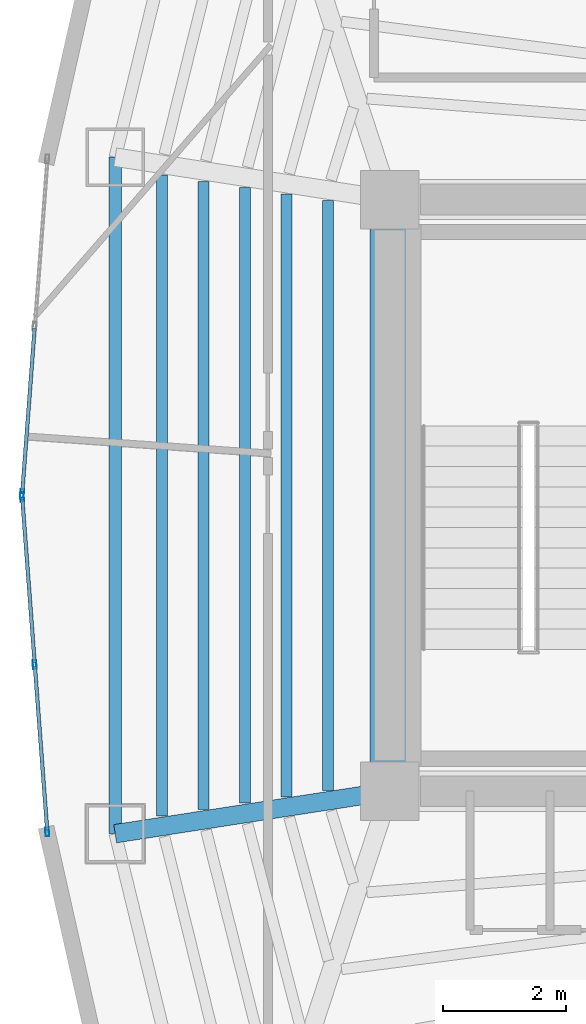
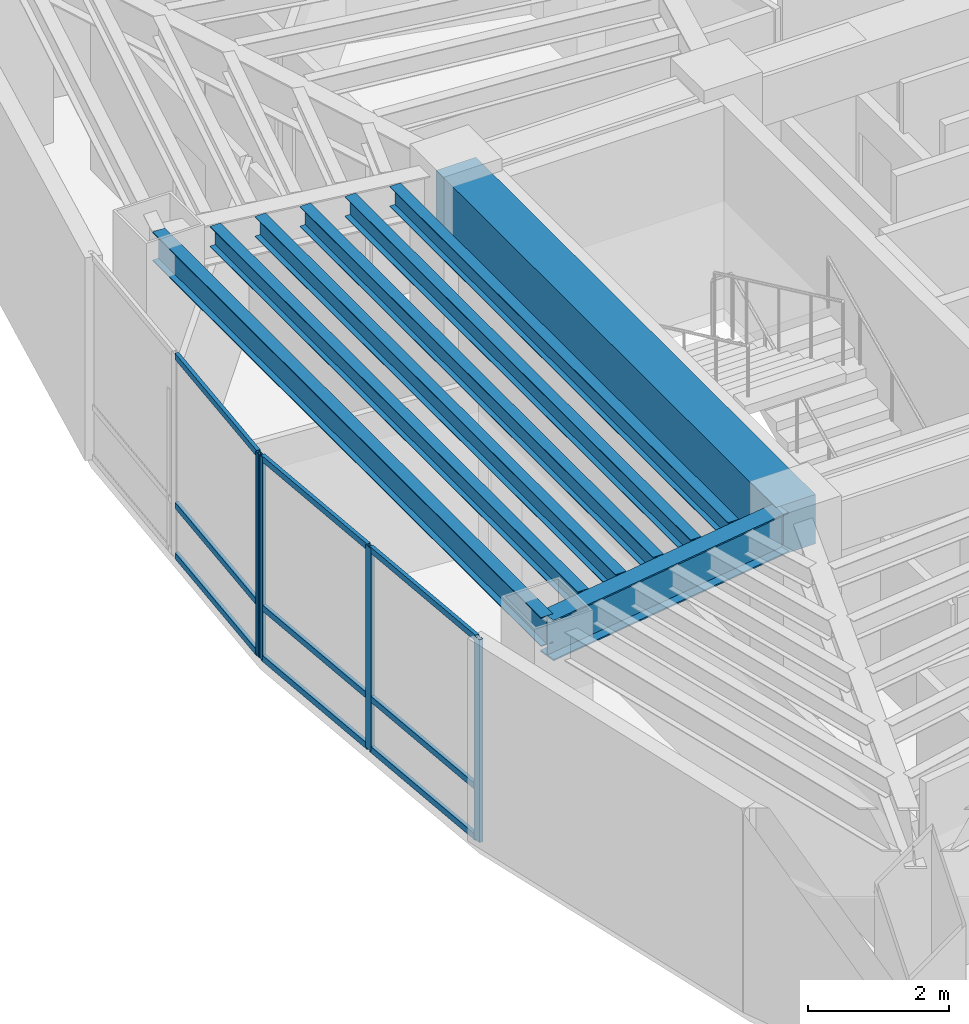
# One storey, part 3 of 15: 13 members, 8 beams, 2 elements without a shape of their own.
"""IFC4 building model written with IfcOpenShell, lengths in metres."""

from ifc_helpers import new_model, si_unit, direction, frame, origin, origin_2d, place, context, subcontext, project, spatial, rectangle, hollow_rectangle, i_section, extrude, material, layer, layer_set, material_profile, profile_set, type_object, element, aggregate, save


model = new_model("IFC4")

# Units and contexts
model_context = context("Model", 3, precision=1e-05, world=origin(), true_north=direction((0.0, 1.0)))
body_context = subcontext(model_context, "Body", "Model", "MODEL_VIEW")
ifc_project = project(units=[si_unit("LENGTHUNIT", "METRE"), si_unit("AREAUNIT", "SQUARE_METRE"), si_unit("VOLUMEUNIT", "CUBIC_METRE"), si_unit("PLANEANGLEUNIT", "RADIAN"), si_unit("MASSUNIT", "GRAM", prefix="KILO")], contexts=[model_context])

# Site, building, storey
site_placement = place(None, origin())
site = spatial("IfcSite", under=ifc_project, at=site_placement, CompositionType="ELEMENT")
building_placement = place(site_placement, origin())
building = spatial("IfcBuilding", under=site, at=building_placement, Name="Menara Vayukalpa", CompositionType="ELEMENT")
storey_placement = place(building_placement, frame((0.0, 0.0, 226.97998046875)))
storey = spatial("IfcBuildingStorey", under=building, at=storey_placement, Name="L57", CompositionType="ELEMENT", Elevation=226.97998046875)

# Beams
ifc_material_1 = material(Name="Concrete C60/75", Category="concrete")
ifc_material_profile_1 = material_profile(ifc_material_1, rectangle(XDim=0.64990234375, YDim=0.85009765625, at=origin_2d()), Name="RC 650x850")
ifc_profile_set_1 = profile_set([ifc_material_profile_1], Name="Concrete C60/75")
beam_type_1 = type_object("IfcBeamType", Name="BM-CB1", PredefinedType="BEAM", material=ifc_profile_set_1)
beam_1_placement = place(storey_placement, frame((17.800048828125, 17.199951171875, 3.074951171875), z_axis=(0.0, 1.0, 0.0), x_axis=(-1.0, 0.0, 0.0)))
element("IfcBeam", 1, at=beam_1_placement, inside=storey, type_object=beam_type_1, Name="L57 Core Tie Beam CBR7", PredefinedType="BEAM", context=body_context, shape_type="SweptSolid", body=[
    extrude(rectangle(XDim=0.64990234375, YDim=0.85009765625, at=origin_2d()), origin(), (0.0, 0.0, 1.0), 9.60009765625),
])
ifc_material_2 = material(Name="Steel S355", Category="steel")
ifc_material_profile_2 = material_profile(ifc_material_2, i_section(OverallWidth=0.300048828125, OverallDepth=0.699951171875, WebThickness=0.012939453125, FlangeThickness=0.02392578125, at=origin_2d()), Name="WF 700x300x13x24")
ifc_profile_set_2 = profile_set([ifc_material_profile_2], Name="Steel S355")
beam_type_2 = type_object("IfcBeamType", Name="BM-PG5", PredefinedType="BEAM", material=ifc_profile_set_2)
beam_2_placement = place(storey_placement, frame((17.552978515625, 17.161865234375, 3.14990234375), z_axis=(-0.988244781219, -0.152879862617, 0.0), x_axis=(0.152879862617, -0.988244781219, 0.0)))
element("IfcBeam", 2, at=beam_2_placement, inside=storey, type_object=beam_type_2, Name="L57 Primary Radial Girder RG06", PredefinedType="BEAM", context=body_context, shape_type="SweptSolid", body=[
    extrude(i_section(OverallWidth=0.300048828125, OverallDepth=0.699951171875, WebThickness=0.012939453125, FlangeThickness=0.02392578125, at=origin_2d()), origin(), (0.0, 0.0, 1.0), 4.259033203125),
])
ifc_material_3 = material(Name="Steel S355", Category="steel")
ifc_material_profile_3 = material_profile(ifc_material_3, i_section(OverallWidth=0.175048828125, OverallDepth=0.35009765625, WebThickness=0.007080078125, FlangeThickness=0.010986328125, at=origin_2d()), Name="WF 350x175x7x11")
ifc_profile_set_3 = profile_set([ifc_material_profile_3], Name="Steel S355")
beam_type_3 = type_object("IfcBeamType", Name="BM-SJ3", PredefinedType="JOIST", material=ifc_profile_set_3)
beam_3_placement = place(storey_placement, frame((16.79541015625, 26.785400390625, 3.324951171875), z_axis=(0.0, -1.0, 0.0), x_axis=(1.0, 0.0, 0.0)))
element("IfcBeam", 3, at=beam_3_placement, inside=storey, type_object=beam_type_3, Name="L57 Secondary Floor Joist SJ05-1", PredefinedType="JOIST", context=body_context, shape_type="SweptSolid", body=[
    extrude(i_section(OverallWidth=0.175048828125, OverallDepth=0.35009765625, WebThickness=0.007080078125, FlangeThickness=0.010986328125, at=origin_2d()), origin(), (0.0, 0.0, 1.0), 9.57080078125),
])
beam_4_placement = place(storey_placement, frame((16.121826171875, 26.889404296875, 3.324951171875), z_axis=(0.0, -1.0, 0.0), x_axis=(1.0, 0.0, 0.0)))
element("IfcBeam", 4, at=beam_4_placement, inside=storey, type_object=beam_type_3, Name="L57 Secondary Floor Joist SJ05-2", PredefinedType="JOIST", context=body_context, shape_type="SweptSolid", body=[
    extrude(i_section(OverallWidth=0.175048828125, OverallDepth=0.35009765625, WebThickness=0.007080078125, FlangeThickness=0.010986328125, at=origin_2d()), origin(), (0.0, 0.0, 1.0), 9.77880859375),
])
beam_5_placement = place(storey_placement, frame((15.448486328125, 26.99365234375, 3.324951171875), z_axis=(0.0, -1.0, 0.0), x_axis=(1.0, 0.0, 0.0)))
element("IfcBeam", 5, at=beam_5_placement, inside=storey, type_object=beam_type_3, Name="L57 Secondary Floor Joist SJ05-3", PredefinedType="JOIST", context=body_context, shape_type="SweptSolid", body=[
    extrude(i_section(OverallWidth=0.175048828125, OverallDepth=0.35009765625, WebThickness=0.007080078125, FlangeThickness=0.010986328125, at=origin_2d()), origin(), (0.0, 0.0, 1.0), 9.9873046875),
])
beam_6_placement = place(storey_placement, frame((14.77490234375, 27.097900390625, 3.324951171875), z_axis=(0.0, -1.0, 0.0), x_axis=(1.0, 0.0, 0.0)))
element("IfcBeam", 6, at=beam_6_placement, inside=storey, type_object=beam_type_3, Name="L57 Secondary Floor Joist SJ05-4", PredefinedType="JOIST", context=body_context, shape_type="SweptSolid", body=[
    extrude(i_section(OverallWidth=0.175048828125, OverallDepth=0.35009765625, WebThickness=0.007080078125, FlangeThickness=0.010986328125, at=origin_2d()), origin(), (0.0, 0.0, 1.0), 10.19580078125),
])
beam_7_placement = place(storey_placement, frame((14.1015625, 27.201904296875, 3.324951171875), z_axis=(0.0, -1.0, 0.0), x_axis=(1.0, 0.0, 0.0)))
element("IfcBeam", 7, at=beam_7_placement, inside=storey, type_object=beam_type_3, Name="L57 Secondary Floor Joist SJ05-5", PredefinedType="JOIST", context=body_context, shape_type="SweptSolid", body=[
    extrude(i_section(OverallWidth=0.175048828125, OverallDepth=0.35009765625, WebThickness=0.007080078125, FlangeThickness=0.010986328125, at=origin_2d()), origin(), (0.0, 0.0, 1.0), 10.40380859375),
])
ifc_material_4 = material(Name="Steel S355", Category="steel")
ifc_material_profile_4 = material_profile(ifc_material_4, i_section(OverallWidth=0.199951171875, OverallDepth=0.5, WebThickness=0.010009765625, FlangeThickness=0.01611328125, at=origin_2d()), Name="WF 500x200x10x16")
ifc_profile_set_4 = profile_set([ifc_material_profile_4], Name="Steel S355")
beam_type_4 = type_object("IfcBeamType", Name="BM-SP3", PredefinedType="SPANDREL", material=ifc_profile_set_4)
beam_8_placement = place(storey_placement, frame((13.343994140625, 27.4892578125, 3.25), z_axis=(0.0, -1.0, 0.0), x_axis=(1.0, 0.0, 0.0)))
element("IfcBeam", 8, at=beam_8_placement, inside=storey, type_object=beam_type_4, Name="L57 Perimeter Spandrel Beam SP05", PredefinedType="SPANDREL", context=body_context, shape_type="SweptSolid", body=[
    extrude(i_section(OverallWidth=0.199951171875, OverallDepth=0.5, WebThickness=0.010009765625, FlangeThickness=0.01611328125, at=origin_2d()), origin(), (0.0, 0.0, 1.0), 10.978515625),
])

# Curtain wall, member
ifc_material_5 = material(Name="Anodised Terracotta Aluminium Alloy 6063-T6", Category="masonry")
ifc_layer = layer(ifc_material_5, 0.139892578125)
ifc_layer_set = layer_set([ifc_layer], Name="Anodised Terracotta Aluminium Alloy 6063-T6")
curtain_wall_type = type_object("IfcCurtainWallType", Name="CW-CW5", PredefinedType="USERDEFINED", material=ifc_layer_set)
curtain_wall_1_placement = place(storey_placement, origin())
curtain_wall_1 = element("IfcCurtainWall", 9, at=curtain_wall_1_placement, inside=storey, type_object=curtain_wall_type, Name="L57 High Rise Tapered Curtain Wall CW5 10", ObjectType="UNITISED", PredefinedType="USERDEFINED")
ifc_material_6 = material(Name="Anodised Terracotta Aluminium Alloy 6063-T6", Category="masonry")
ifc_material_profile_5 = material_profile(ifc_material_6, hollow_rectangle(XDim=0.06005859375, YDim=0.139892578125, WallThickness=0.00341796875, at=origin_2d()), Name="ALU 60x140x3.5")
ifc_profile_set_5 = profile_set([ifc_material_profile_5], Name="Anodised Terracotta Aluminium Alloy 6063-T6")
member_type_1 = type_object("IfcMemberType", Name="CWM-CW5", PredefinedType="MULLION", material=ifc_profile_set_5)
member_1_placement = place(storey_placement, frame((11.83447265625, 22.030029296875, 0.0), z_axis=(0.0, 0.0, 1.0), x_axis=(0.9971991744, -0.074791754736, 0.0)))
member_1 = element("IfcMember", 10, at=member_1_placement, type_object=member_type_1, Name="CW5 mullion 3", PredefinedType="MULLION", context=body_context, shape_type="SweptSolid", body=[
    extrude(hollow_rectangle(XDim=0.06005859375, YDim=0.139892578125, WallThickness=0.00341796875, at=origin_2d()), origin(), (0.0, 0.0, 1.0), 3.5),
])

# Curtain wall, members
curtain_wall_2_placement = place(storey_placement, origin())
curtain_wall_2 = element("IfcCurtainWall", 11, at=curtain_wall_2_placement, inside=storey, type_object=curtain_wall_type, Name="L57 High Rise Tapered Curtain Wall CW5 11", ObjectType="UNITISED", PredefinedType="USERDEFINED")
member_2_placement = place(storey_placement, frame((11.83447265625, 21.969970703125, 0.0), z_axis=(0.0, 0.0, 1.0), x_axis=(0.9971991744, 0.074791754736, 0.0)))
member_2 = element("IfcMember", 12, at=member_2_placement, type_object=member_type_1, Name="CW5 mullion 1", PredefinedType="MULLION", context=body_context, shape_type="SweptSolid", body=[
    extrude(hollow_rectangle(XDim=0.06005859375, YDim=0.139892578125, WallThickness=0.00341796875, at=origin_2d()), origin(), (0.0, 0.0, 1.0), 3.5),
])
member_3_placement = place(storey_placement, frame((12.0380859375, 19.25537109375, 0.0), z_axis=(0.0, 0.0, 1.0), x_axis=(0.9971991744, 0.074791754736, 0.0)))
member_3 = element("IfcMember", 13, at=member_3_placement, type_object=member_type_1, Name="CW5 mullion 2", PredefinedType="MULLION", context=body_context, shape_type="SweptSolid", body=[
    extrude(hollow_rectangle(XDim=0.06005859375, YDim=0.139892578125, WallThickness=0.00341796875, at=origin_2d()), origin(), (0.0, 0.0, 1.0), 3.5),
])
member_4_placement = place(storey_placement, frame((12.24169921875, 16.540771484375, 0.0), z_axis=(0.0, 0.0, 1.0), x_axis=(0.9971991744, 0.074791754736, 0.0)))
member_4 = element("IfcMember", 14, at=member_4_placement, type_object=member_type_1, Name="CW5 mullion 3", PredefinedType="MULLION", context=body_context, shape_type="SweptSolid", body=[
    extrude(hollow_rectangle(XDim=0.06005859375, YDim=0.139892578125, WallThickness=0.00341796875, at=origin_2d()), origin(), (0.0, 0.0, 1.0), 3.5),
])

# Member
ifc_material_7 = material(Name="Anodised Terracotta Aluminium Alloy 6063-T6", Category="masonry")
ifc_material_profile_6 = material_profile(ifc_material_7, hollow_rectangle(XDim=0.06005859375, YDim=0.10498046875, WallThickness=0.0029296875, at=origin_2d()), Name="ALU 60x105x3")
ifc_profile_set_6 = profile_set([ifc_material_profile_6], Name="Anodised Terracotta Aluminium Alloy 6063-T6")
member_type_2 = type_object("IfcMemberType", Name="CWT-CW5", PredefinedType="USERDEFINED", material=ifc_profile_set_6)
member_5_placement = place(storey_placement, frame((12.035888671875, 24.714599609375, 0.030029296875), z_axis=(-0.074830984436, -0.997196231325, 0.0), x_axis=(0.997196231325, -0.074830984436, 0.0)))
member_5 = element("IfcMember", 15, at=member_5_placement, type_object=member_type_2, Name="CW5 transom 2.1", ObjectType="TRANSOM", PredefinedType="USERDEFINED", context=body_context, shape_type="SweptSolid", body=[
    extrude(hollow_rectangle(XDim=0.06005859375, YDim=0.10498046875, WallThickness=0.0029296875, at=origin_2d()), origin(), (0.0, 0.0, 1.0), 2.662353515625),
])

member_6_placement = place(storey_placement, frame((12.035888671875, 24.714599609375, 0.89990234375), z_axis=(-0.074830984436, -0.997196231325, 0.0), x_axis=(0.997196231325, -0.074830984436, 0.0)))
member_6 = element("IfcMember", 16, at=member_6_placement, type_object=member_type_2, Name="CW5 transom 2.2", ObjectType="TRANSOM", PredefinedType="USERDEFINED", context=body_context, shape_type="SweptSolid", body=[
    extrude(hollow_rectangle(XDim=0.06005859375, YDim=0.10498046875, WallThickness=0.0029296875, at=origin_2d()), origin(), (0.0, 0.0, 1.0), 2.662353515625),
])

member_7_placement = place(storey_placement, frame((12.035888671875, 24.714599609375, 3.469970703125), z_axis=(-0.074830984436, -0.997196231325, 0.0), x_axis=(0.997196231325, -0.074830984436, 0.0)))
member_7 = element("IfcMember", 17, at=member_7_placement, type_object=member_type_2, Name="CW5 transom 2.3", ObjectType="TRANSOM", PredefinedType="USERDEFINED", context=body_context, shape_type="SweptSolid", body=[
    extrude(hollow_rectangle(XDim=0.06005859375, YDim=0.10498046875, WallThickness=0.0029296875, at=origin_2d()), origin(), (0.0, 0.0, 1.0), 2.662353515625),
])

aggregate(curtain_wall_1, [member_1, member_5, member_6, member_7])

member_8_placement = place(storey_placement, frame((11.836669921875, 21.940185546875, 0.030029296875), z_axis=(0.074830984436, -0.997196231325, 0.0), x_axis=(0.997196231325, 0.074830984436, 0.0)))
member_8 = element("IfcMember", 18, at=member_8_placement, type_object=member_type_2, Name="CW5 transom 1.1", ObjectType="TRANSOM", PredefinedType="USERDEFINED", context=body_context, shape_type="SweptSolid", body=[
    extrude(hollow_rectangle(XDim=0.06005859375, YDim=0.10498046875, WallThickness=0.0029296875, at=origin_2d()), origin(), (0.0, 0.0, 1.0), 2.662353515625),
])

member_9_placement = place(storey_placement, frame((11.836669921875, 21.940185546875, 0.89990234375), z_axis=(0.074830984436, -0.997196231325, 0.0), x_axis=(0.997196231325, 0.074830984436, 0.0)))
member_9 = element("IfcMember", 19, at=member_9_placement, type_object=member_type_2, Name="CW5 transom 1.2", ObjectType="TRANSOM", PredefinedType="USERDEFINED", context=body_context, shape_type="SweptSolid", body=[
    extrude(hollow_rectangle(XDim=0.06005859375, YDim=0.10498046875, WallThickness=0.0029296875, at=origin_2d()), origin(), (0.0, 0.0, 1.0), 2.662353515625),
])

member_10_placement = place(storey_placement, frame((11.836669921875, 21.940185546875, 3.469970703125), z_axis=(0.074830984436, -0.997196231325, 0.0), x_axis=(0.997196231325, 0.074830984436, 0.0)))
member_10 = element("IfcMember", 20, at=member_10_placement, type_object=member_type_2, Name="CW5 transom 1.3", ObjectType="TRANSOM", PredefinedType="USERDEFINED", context=body_context, shape_type="SweptSolid", body=[
    extrude(hollow_rectangle(XDim=0.06005859375, YDim=0.10498046875, WallThickness=0.0029296875, at=origin_2d()), origin(), (0.0, 0.0, 1.0), 2.662353515625),
])

member_11_placement = place(storey_placement, frame((12.040283203125, 19.2255859375, 0.030029296875), z_axis=(0.074824141952, -0.997196744771, 0.0), x_axis=(0.997196744771, 0.074824141952, 0.0)))
member_11 = element("IfcMember", 21, at=member_11_placement, type_object=member_type_2, Name="CW5 transom 2.1", ObjectType="TRANSOM", PredefinedType="USERDEFINED", context=body_context, shape_type="SweptSolid", body=[
    extrude(hollow_rectangle(XDim=0.06005859375, YDim=0.10498046875, WallThickness=0.0029296875, at=origin_2d()), origin(), (0.0, 0.0, 1.0), 2.66259765625),
])

member_12_placement = place(storey_placement, frame((12.040283203125, 19.2255859375, 0.89990234375), z_axis=(0.074824141952, -0.997196744771, 0.0), x_axis=(0.997196744771, 0.074824141952, 0.0)))
member_12 = element("IfcMember", 22, at=member_12_placement, type_object=member_type_2, Name="CW5 transom 2.2", ObjectType="TRANSOM", PredefinedType="USERDEFINED", context=body_context, shape_type="SweptSolid", body=[
    extrude(hollow_rectangle(XDim=0.06005859375, YDim=0.10498046875, WallThickness=0.0029296875, at=origin_2d()), origin(), (0.0, 0.0, 1.0), 2.66259765625),
])

member_13_placement = place(storey_placement, frame((12.040283203125, 19.2255859375, 3.469970703125), z_axis=(0.074824141952, -0.997196744771, 0.0), x_axis=(0.997196744771, 0.074824141952, 0.0)))
member_13 = element("IfcMember", 23, at=member_13_placement, type_object=member_type_2, Name="CW5 transom 2.3", ObjectType="TRANSOM", PredefinedType="USERDEFINED", context=body_context, shape_type="SweptSolid", body=[
    extrude(hollow_rectangle(XDim=0.06005859375, YDim=0.10498046875, WallThickness=0.0029296875, at=origin_2d()), origin(), (0.0, 0.0, 1.0), 2.66259765625),
])

aggregate(curtain_wall_2, [member_2, member_3, member_4, member_8, member_9, member_10, member_11, member_12, member_13])

save(model, "model.ifc")
